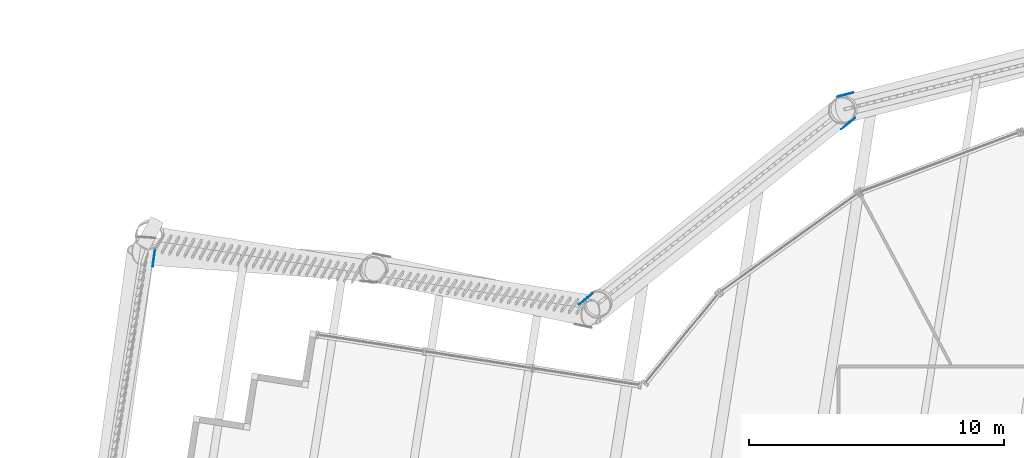
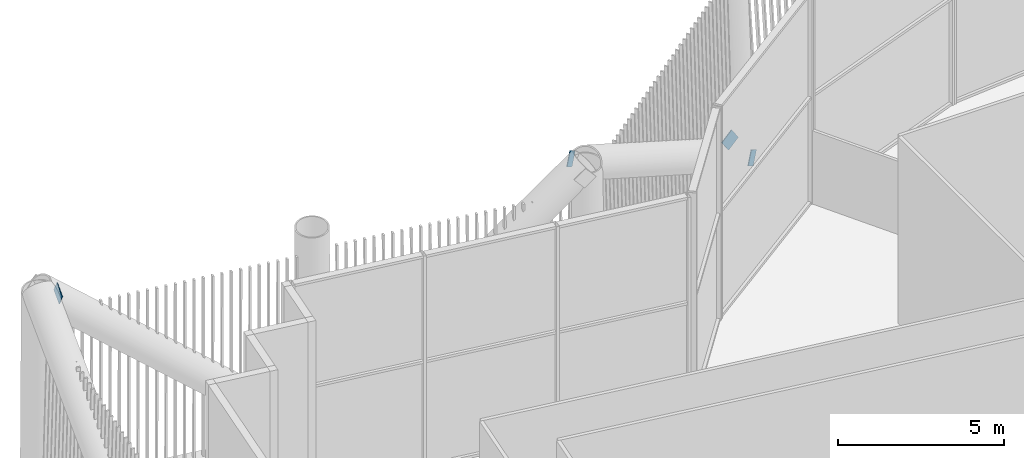
# One storey, part 42 of 55: 4 discrete accessories.
"""IFC4 building model written with IfcOpenShell, lengths in metres."""

from ifc_helpers import new_model, si_unit, direction, frame, origin, origin_2d, place, context, subcontext, project, spatial, rectangle, extrude, material, material_profile, profile_set, type_object, element, save


model = new_model("IFC4")

# Units and contexts
model_context = context("Model", 3, precision=1e-05, world=origin(), true_north=direction((0.0, 1.0)))
body_context = subcontext(model_context, "Body", "Model", "MODEL_VIEW")
ifc_project = project(units=[si_unit("LENGTHUNIT", "METRE"), si_unit("AREAUNIT", "SQUARE_METRE"), si_unit("VOLUMEUNIT", "CUBIC_METRE"), si_unit("PLANEANGLEUNIT", "RADIAN"), si_unit("MASSUNIT", "GRAM", prefix="KILO")], contexts=[model_context])

# Site, building, storey
site_placement = place(None, origin())
site = spatial("IfcSite", under=ifc_project, at=site_placement, CompositionType="ELEMENT")
building_placement = place(site_placement, origin())
building = spatial("IfcBuilding", under=site, at=building_placement, Name="Tarsis Ring Headquarters", CompositionType="ELEMENT")
storey_placement = place(building_placement, frame((0.0, 0.0, 247.199951171875)))
storey = spatial("IfcBuildingStorey", under=building, at=storey_placement, Name="L58", CompositionType="ELEMENT", Elevation=247.199951171875)

# Discrete accessories
ifc_material = material(Name="Structural steel S355", Category="steel")
ifc_material_profile = material_profile(ifc_material, rectangle(XDim=0.02490234375, YDim=0.5, at=origin_2d()), Name="PL 25x500")
ifc_profile_set = profile_set([ifc_material_profile], Name="Structural steel S355")
discrete_accessory_type = type_object("IfcDiscreteAccessoryType", Name="Gusset plate Belt truss 25", PredefinedType="BRACKET", material=ifc_profile_set)
discrete_accessory_placement = place(storey_placement, frame((-12.937744140625, 26.604248046875, 0.0), z_axis=(0.800353833657, 0.206920747238, 0.562687786711), x_axis=(-0.250306499006, 0.968166647099, 0.0)))
element("IfcDiscreteAccessory", 1, at=discrete_accessory_placement, inside=storey, type_object=discrete_accessory_type, Name="Gusset plate GP4", PredefinedType="BRACKET", context=body_context, shape_type="SweptSolid", body=[
    extrude(rectangle(XDim=0.02490234375, YDim=0.5, at=origin_2d()), origin(), (0.0, 0.0, 1.0), 0.500244140625),
])
for number, where, z_axis, x_axis, name in (
    (2, (-12.458984375, 25.650390625, 0.0), (-0.659794849328, -0.530863805492, 0.531840555824), (0.626872819708, -0.779121600208, 0.0), "Gusset plate GP4"),
    (3, (-23.07275390625, 18.512451171875, 8.0), (0.66007048725, 0.530692766006, -0.531669201638), (-0.6265912392, 0.779348073044, 0.0), "Gusset plate GP4"),
    (4, (-39.825927734375, 20.453369140625, 8.0), (-0.119146732617, -0.860883973789, -0.494654262875), (0.99055808541, -0.137093688508, 0.0), "Gusset plate GP4"),
):
    element("IfcDiscreteAccessory", number, at=place(storey_placement, frame(where, z_axis=z_axis, x_axis=x_axis)), inside=storey, type_object=discrete_accessory_type, Name=name, PredefinedType="BRACKET", context=body_context, shape_type="SweptSolid", body=[
        extrude(rectangle(XDim=0.02490234375, YDim=0.5, at=origin_2d()), origin(), (0.0, 0.0, 1.0), 0.5),
    ])

save(model, "model.ifc")
